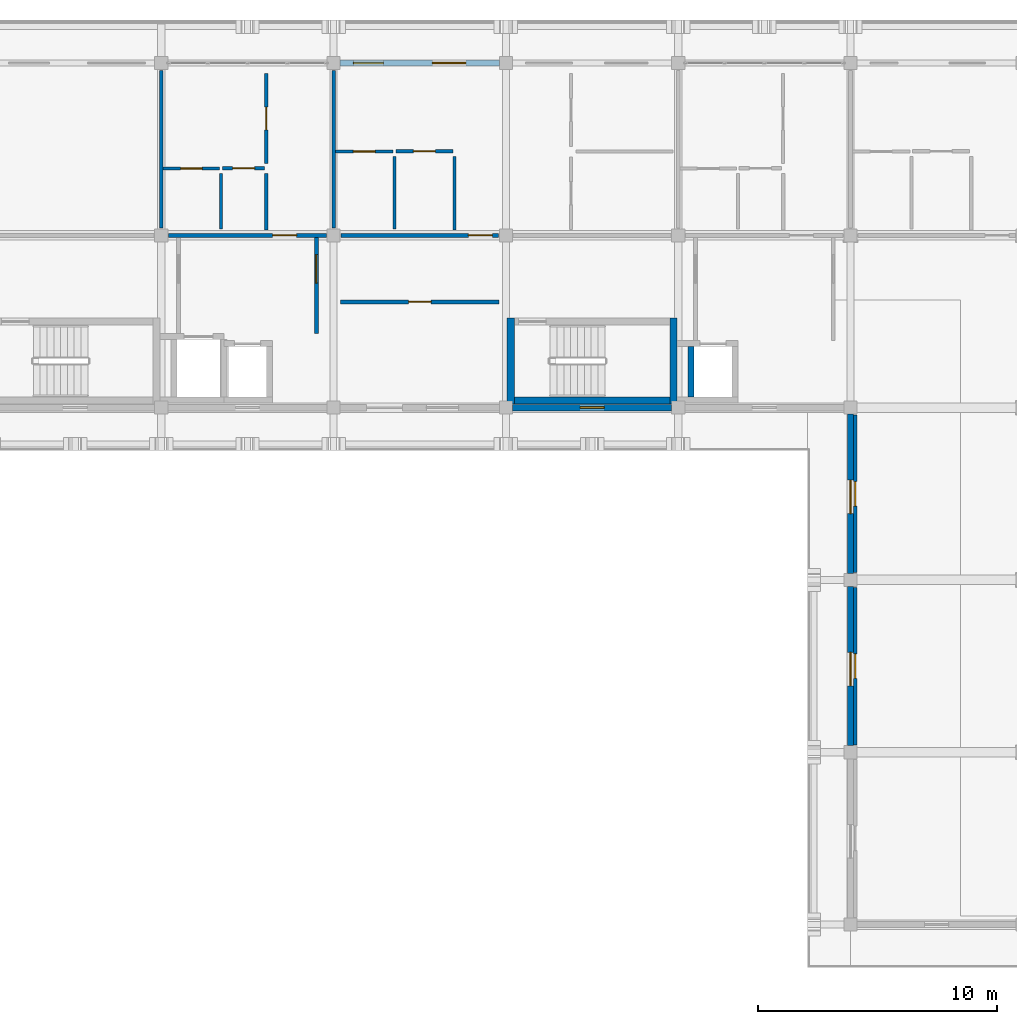
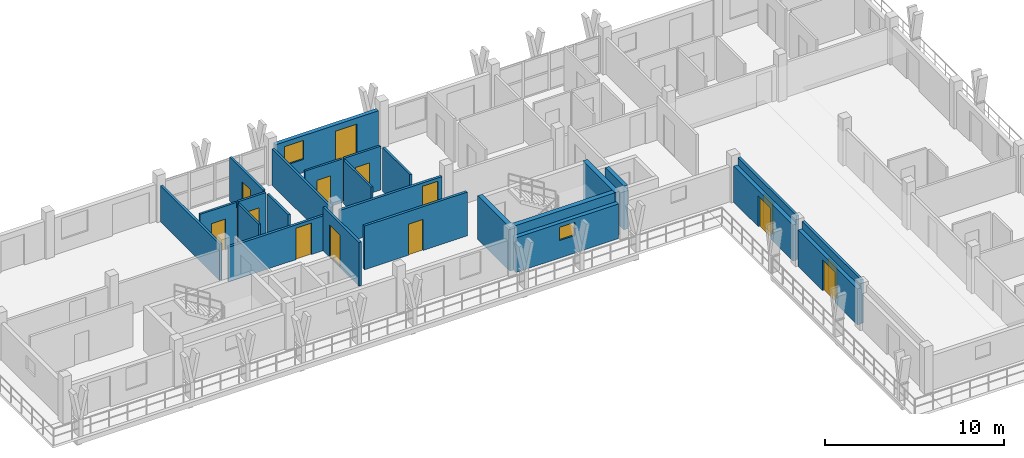
# One storey, part 50 of 67: 25 walls, 14 doors, 2 windows, 16 openings.
"""IFC4 building model written with IfcOpenShell, lengths in metres."""

from ifc_helpers import new_model, si_unit, direction, frame, frame_2d, origin, place, context, subcontext, project, spatial, rectangle, extrude, material, layer, layer_set, type_object, element, fill, save


model = new_model("IFC4")

# Units and contexts
model_context = context("Model", 3, precision=1e-05, world=origin(), true_north=direction((0.0, 1.0)))
body_context = subcontext(model_context, "Body", "Model", "MODEL_VIEW")
ifc_project = project(units=[si_unit("LENGTHUNIT", "METRE"), si_unit("AREAUNIT", "SQUARE_METRE"), si_unit("VOLUMEUNIT", "CUBIC_METRE"), si_unit("PLANEANGLEUNIT", "RADIAN"), si_unit("MASSUNIT", "GRAM", prefix="KILO")], contexts=[model_context])

# Site, building, storey
site_placement = place(None, origin())
site = spatial("IfcSite", under=ifc_project, at=site_placement, CompositionType="ELEMENT")
building_placement = place(site_placement, origin())
building = spatial("IfcBuilding", under=site, at=building_placement, Name="Suanplinth Sawtooth Commons", CompositionType="ELEMENT")
storey_placement = place(building_placement, frame((0.0, 0.0, 25.10009765625)))
storey = spatial("IfcBuildingStorey", under=building, at=storey_placement, Name="L07", CompositionType="ELEMENT", Elevation=25.10009765625)

# Walls
ifc_material_1 = material(Name="Concrete C40/50", Category="concrete")
ifc_layer_1 = layer(ifc_material_1, 0.300048828125, Name="Standard RC stair and lift core wall 300mm")
ifc_layer_set_1 = layer_set([ifc_layer_1], Name="Concrete C40/50")
wall_type_1 = type_object("IfcWallType", Name="W-CR02", PredefinedType="SHEAR", material=ifc_layer_set_1)
wall_1_placement = place(storey_placement, frame((158.75, 108.300048828125, 0.0), z_axis=(0.0, 0.0, 1.0), x_axis=(1.0, 0.0, 0.0)))
element("IfcWall", 1, at=wall_1_placement, inside=storey, type_object=wall_type_1, Name="W-L07-C-B2-STS", PredefinedType="SHEAR", context=body_context, shape_type="SweptSolid", body=[
    extrude(rectangle(XDim=6.5, YDim=0.300048828125, at=frame_2d((3.25, 0.0))), origin(), (0.0, 0.0, 1.0), 2.989990234375),
])
for number, where, z_axis, x_axis, name in (
    (2, (158.60009765625, 108.14990234375, 0.0), (0.0, 0.0, 1.0), (0.0, 1.0, 0.0), "W-L07-C-B2-STW"),
    (3, (165.39990234375, 108.14990234375, 0.0), (0.0, 0.0, 1.0), (0.0, 1.0, 0.0), "W-L07-C-B2-STE"),
):
    element("IfcWall", number, at=place(storey_placement, frame(where, z_axis=z_axis, x_axis=x_axis)), inside=storey, type_object=wall_type_1, Name=name, PredefinedType="SHEAR", context=body_context, shape_type="SweptSolid", body=[
        extrude(rectangle(XDim=3.60009765625, YDim=0.300048828125, at=frame_2d((1.800048828125, 0.0))), origin(), (0.0, 0.0, 1.0), 2.989990234375),
    ])

# Wall, openings, door, window
ifc_material_2 = material(Name="Precast concrete C40/50", Category="concrete")
ifc_layer_2 = layer(ifc_material_2, 0.260009765625, Name="Insulated precast courtyard facade wall 260mm")
ifc_layer_set_2 = layer_set([ifc_layer_2], Name="Precast concrete C40/50")
wall_type_2 = type_object("IfcWallType", Name="W-EX02", PredefinedType="ELEMENTEDWALL", material=ifc_layer_set_2)
wall_2_placement = place(storey_placement, frame((151.47509765625, 122.39990234375, 0.0), z_axis=(0.0, 0.0, 1.0), x_axis=(1.0, 0.0, 0.0)))
wall_2 = element("IfcWall", 4, at=wall_2_placement, inside=storey, type_object=wall_type_2, Name="Facade Wall W-L07-B-N-21-16", PredefinedType="ELEMENTEDWALL", context=body_context, shape_type="SweptSolid", body=[
    extrude(rectangle(XDim=6.64990234375, YDim=0.260009765625, at=frame_2d((3.324951171875, 0.0))), origin(), (0.0, 0.0, 1.0), 2.52490234375),
])
opening_1_placement = place(wall_2_placement, frame((3.85009765625, 0.0, 0.0)))
opening_1 = element("IfcOpeningElement", 5, at=opening_1_placement, cuts=wall_2, Name="Opening ED0578", PredefinedType="OPENING", context=body_context, shape_type="SweptSolid", body=[
    extrude(rectangle(XDim=1.39990234375, YDim=2.10009765625, at=frame_2d((0.699951171875, 1.050048828125))), frame((0.0, 0.14501953125, 0.0), z_axis=(0.0, -1.0, 0.0), x_axis=(1.0, 0.0, 0.0)), (0.0, 0.0, 1.0), 0.289794921875),
])
opening_2_placement = place(wall_2_placement, frame((0.550048828125, 0.0, 0.89990234375)))
opening_2 = element("IfcOpeningElement", 6, at=opening_2_placement, cuts=wall_2, Name="Opening W0660", PredefinedType="OPENING", context=body_context, shape_type="SweptSolid", body=[
    extrude(rectangle(XDim=1.25, YDim=1.300048828125, at=frame_2d((0.625, 0.64990234375))), frame((0.0, 0.14501953125, 0.0), z_axis=(0.0, -1.0, 0.0), x_axis=(1.0, 0.0, 0.0)), (0.0, 0.0, 1.0), 0.289794921875),
])
ifc_material_3 = material(Name="Anodized aluminium and low-E glass", Category="aluminium")
door_type_1 = type_object("IfcDoorType", Name="SD-07", OperationType="SLIDING_TO_RIGHT", PredefinedType="DOOR", material=ifc_material_3)
door_1_placement = place(opening_1_placement, frame((1.39990234375, 0.0, 0.0), z_axis=(0.0, 0.0, 1.0), x_axis=(-1.0, 0.0, 0.0)))
door_1 = element("IfcDoor", 7, at=door_1_placement, inside=storey, type_object=door_type_1, Name="Balcony Sliding Door L07-B-21", OperationType="SLIDING_TO_RIGHT", OverallHeight=2.10009765625, OverallWidth=1.39990234375, PredefinedType="DOOR", context=body_context, shape_type="SweptSolid", body=[
    extrude(rectangle(XDim=1.39990234375, YDim=2.10009765625, at=frame_2d((0.699951171875, 1.050048828125))), frame((0.0, 0.02490234375, 0.0), z_axis=(0.0, -1.0, 0.0), x_axis=(1.0, 0.0, 0.0)), (0.0, 0.0, 1.0), 0.050048828125),
])
fill(opening_1, door_1)
ifc_material_4 = material(Name="Thermally broken aluminium and low-E double glazing", Category="aluminium")
window_type_1 = type_object("IfcWindowType", Name="WN-17", PartitioningType="SINGLE_PANEL", PredefinedType="WINDOW", material=ifc_material_4)
window_1_placement = place(opening_2_placement, origin())
window_1 = element("IfcWindow", 8, at=window_1_placement, inside=storey, type_object=window_type_1, Name="Apartment Window L07-B-21", OverallHeight=1.300048828125, OverallWidth=1.25, PartitioningType="SINGLE_PANEL", PredefinedType="WINDOW", context=body_context, shape_type="SweptSolid", body=[
    extrude(rectangle(XDim=1.25, YDim=1.300048828125, at=frame_2d((0.625, 0.64990234375))), frame((0.0, 0.030029296875, 0.0), z_axis=(0.0, -1.0, 0.0), x_axis=(1.0, 0.0, 0.0)), (0.0, 0.0, 1.0), 0.06005859375),
])
fill(opening_2, window_1)

# Wall, opening, window
wall_3_placement = place(storey_placement, frame((158.675048828125, 108.0, 0.0), z_axis=(0.0, 0.0, 1.0), x_axis=(1.0, 0.0, 0.0)))
wall_3 = element("IfcWall", 9, at=wall_3_placement, inside=storey, type_object=wall_type_2, Name="Facade Wall W-L07-B-S-22-15", PredefinedType="ELEMENTEDWALL", context=body_context, shape_type="SweptSolid", body=[
    extrude(rectangle(XDim=6.64990234375, YDim=0.260009765625, at=frame_2d((3.324951171875, 0.0))), origin(), (0.0, 0.0, 1.0), 2.375),
])
opening_3_placement = place(wall_3_placement, frame((2.824951171875, 0.0, 1.199951171875)))
opening_3 = element("IfcOpeningElement", 10, at=opening_3_placement, cuts=wall_3, Name="Opening W0661", PredefinedType="OPENING", context=body_context, shape_type="SweptSolid", body=[
    extrude(rectangle(XDim=1.0, YDim=0.89990234375, at=frame_2d((0.5, 0.449951171875))), frame((0.0, 0.14501953125, 0.0), z_axis=(0.0, -1.0, 0.0), x_axis=(1.0, 0.0, 0.0)), (0.0, 0.0, 1.0), 0.289794921875),
])
window_type_2 = type_object("IfcWindowType", Name="WN-12", PartitioningType="SINGLE_PANEL", PredefinedType="WINDOW", material=ifc_material_4)
window_2_placement = place(opening_3_placement, origin())
window_2 = element("IfcWindow", 11, at=window_2_placement, inside=storey, type_object=window_type_2, Name="Core Daylight Window L07-B-22-15", OverallHeight=0.89990234375, OverallWidth=1.0, PartitioningType="SINGLE_PANEL", PredefinedType="WINDOW", context=body_context, shape_type="SweptSolid", body=[
    extrude(rectangle(XDim=1.0, YDim=0.89990234375, at=frame_2d((0.5, 0.449951171875))), frame((0.0, 0.030029296875, 0.0), z_axis=(0.0, -1.0, 0.0), x_axis=(1.0, 0.0, 0.0)), (0.0, 0.0, 1.0), 0.06005859375),
])
fill(opening_3, window_2)

# Wall, opening, door
wall_4_placement = place(storey_placement, frame((172.800048828125, 93.875, 0.0), z_axis=(0.0, 0.0, 1.0), x_axis=(0.0, 1.0, 0.0)))
wall_4 = element("IfcWall", 12, at=wall_4_placement, inside=storey, type_object=wall_type_2, Name="Facade Wall W-L07-B-W-24-13", PredefinedType="ELEMENTEDWALL", context=body_context, shape_type="SweptSolid", body=[
    extrude(rectangle(XDim=6.64990234375, YDim=0.260009765625, at=frame_2d((3.324951171875, 0.0))), origin(), (0.0, 0.0, 1.0), 2.474853515625),
])
opening_4_placement = place(wall_4_placement, frame((2.5, 0.0, 0.0)))
opening_4 = element("IfcOpeningElement", 13, at=opening_4_placement, cuts=wall_4, Name="Opening ED0581", PredefinedType="OPENING", context=body_context, shape_type="SweptSolid", body=[
    extrude(rectangle(XDim=1.39990234375, YDim=2.10009765625, at=frame_2d((0.699951171875, 1.050048828125))), frame((0.0, 0.14501953125, 0.0), z_axis=(0.0, -1.0, 0.0), x_axis=(1.0, 0.0, 0.0)), (0.0, 0.0, 1.0), 0.289794921875),
])
door_2_placement = place(opening_4_placement, frame((1.39990234375, 0.0, 0.0), z_axis=(0.0, 0.0, 1.0), x_axis=(-1.0, 0.0, 0.0)))
door_2 = element("IfcDoor", 14, at=door_2_placement, inside=storey, type_object=door_type_1, Name="Courtyard Veranda Studio Balcony Door L07-B-13", OperationType="SLIDING_TO_RIGHT", OverallHeight=2.10009765625, OverallWidth=1.39990234375, PredefinedType="DOOR", context=body_context, shape_type="SweptSolid", body=[
    extrude(rectangle(XDim=1.39990234375, YDim=2.10009765625, at=frame_2d((0.699951171875, 1.050048828125))), frame((0.0, 0.02490234375, 0.0), z_axis=(0.0, -1.0, 0.0), x_axis=(1.0, 0.0, 0.0)), (0.0, 0.0, 1.0), 0.050048828125),
])
fill(opening_4, door_2)

wall_5_placement = place(storey_placement, frame((172.800048828125, 101.074951171875, 0.0), z_axis=(0.0, 0.0, 1.0), x_axis=(0.0, 1.0, 0.0)))
wall_5 = element("IfcWall", 15, at=wall_5_placement, inside=storey, type_object=wall_type_2, Name="Facade Wall W-L07-B-W-24-14", PredefinedType="ELEMENTEDWALL", context=body_context, shape_type="SweptSolid", body=[
    extrude(rectangle(XDim=6.650146484375, YDim=0.260009765625, at=frame_2d((3.3251953125, 0.0))), origin(), (0.0, 0.0, 1.0), 2.474853515625),
])
opening_5_placement = place(wall_5_placement, frame((2.5, 0.0, 0.0)))
opening_5 = element("IfcOpeningElement", 16, at=opening_5_placement, cuts=wall_5, Name="Opening ED0582", PredefinedType="OPENING", context=body_context, shape_type="SweptSolid", body=[
    extrude(rectangle(XDim=1.39990234375, YDim=2.10009765625, at=frame_2d((0.699951171875, 1.050048828125))), frame((0.0, 0.14501953125, 0.0), z_axis=(0.0, -1.0, 0.0), x_axis=(1.0, 0.0, 0.0)), (0.0, 0.0, 1.0), 0.289794921875),
])
door_3_placement = place(opening_5_placement, frame((1.39990234375, 0.0, 0.0), z_axis=(0.0, 0.0, 1.0), x_axis=(-1.0, 0.0, 0.0)))
door_3 = element("IfcDoor", 17, at=door_3_placement, inside=storey, type_object=door_type_1, Name="Courtyard Veranda Studio Balcony Door L07-B-14", OperationType="SLIDING_TO_RIGHT", OverallHeight=2.10009765625, OverallWidth=1.39990234375, PredefinedType="DOOR", context=body_context, shape_type="SweptSolid", body=[
    extrude(rectangle(XDim=1.39990234375, YDim=2.10009765625, at=frame_2d((0.699951171875, 1.050048828125))), frame((0.0, 0.02490234375, 0.0), z_axis=(0.0, -1.0, 0.0), x_axis=(1.0, 0.0, 0.0)), (0.0, 0.0, 1.0), 0.050048828125),
])
fill(opening_5, door_3)

ifc_layer_3 = layer(ifc_material_2, 0.159912109375, Name="Fire-rated corridor and lobby wall 160mm")
ifc_layer_set_3 = layer_set([ifc_layer_3], Name="Precast concrete C40/50")
wall_type_3 = type_object("IfcWallType", Name="W-FW01", PredefinedType="PARTITIONING", material=ifc_layer_set_3)
wall_6_placement = place(storey_placement, frame((150.47998046875, 111.10009765625, 0.0), z_axis=(0.0, 0.0, 1.0), x_axis=(0.0, 1.0, 0.0)))
wall_6 = element("IfcWall", 18, at=wall_6_placement, inside=storey, type_object=wall_type_3, Name="W-L07-C-B1-LOB-E", PredefinedType="PARTITIONING", context=body_context, shape_type="SweptSolid", body=[
    extrude(rectangle(XDim=4.02001953125, YDim=0.159912109375, at=frame_2d((2.010009765625, 0.0))), origin(), (0.0, 0.0, 1.0), 2.989990234375),
])
opening_6_placement = place(wall_6_placement, frame((2.10009765625, 0.0, 0.0)))
opening_6 = element("IfcOpeningElement", 19, at=opening_6_placement, cuts=wall_6, Name="Opening FD0196", PredefinedType="OPENING", context=body_context, shape_type="SweptSolid", body=[
    extrude(rectangle(XDim=1.199951171875, YDim=2.199951171875, at=frame_2d((0.60009765625, 1.10009765625))), frame((0.0, 0.0947265625, 0.0), z_axis=(0.0, -1.0, 0.0), x_axis=(1.0, 0.0, 0.0)), (0.0, 0.0, 1.0), 0.189697265625),
])
ifc_material_5 = material(Name="Teak hardwood fire-rated door assembly", Category="wood")
door_type_2 = type_object("IfcDoorType", Name="FD-02", OperationType="NOTDEFINED", PredefinedType="DOOR", material=ifc_material_5)
door_4_placement = place(opening_6_placement, frame((1.199951171875, 0.0, 0.0), z_axis=(0.0, 0.0, 1.0), x_axis=(-1.0, 0.0, 0.0)))
door_4 = element("IfcDoor", 20, at=door_4_placement, inside=storey, type_object=door_type_2, Name="Lobby Fire Door FD0196", OperationType="SINGLE_SWING_RIGHT", OverallHeight=2.199951171875, OverallWidth=1.199951171875, PredefinedType="DOOR", context=body_context, shape_type="SweptSolid", body=[
    extrude(rectangle(XDim=1.199951171875, YDim=2.199951171875, at=frame_2d((0.60009765625, 1.10009765625))), frame((0.0, 0.02490234375, 0.0), z_axis=(0.0, -1.0, 0.0), x_axis=(1.0, 0.0, 0.0)), (0.0, 0.0, 1.0), 0.050048828125),
])
fill(opening_6, door_4)

wall_7_placement = place(storey_placement, frame((144.304931640625, 115.199951171875, 0.0), z_axis=(0.0, 0.0, 1.0), x_axis=(1.0, 0.0, 0.0)))
wall_7 = element("IfcWall", 21, at=wall_7_placement, inside=storey, type_object=wall_type_3, Name="W-B-L07-U02-COR", PredefinedType="PARTITIONING", context=body_context, shape_type="SweptSolid", body=[
    extrude(rectangle(XDim=6.590087890625, YDim=0.159912109375, at=frame_2d((3.294921875, 0.0))), origin(), (0.0, 0.0, 1.0), 2.375),
])
opening_7_placement = place(wall_7_placement, frame((4.344970703125, 0.0, 0.0)))
opening_7 = element("IfcOpeningElement", 22, at=opening_7_placement, cuts=wall_7, Name="Opening FD1544", PredefinedType="OPENING", context=body_context, shape_type="SweptSolid", body=[
    extrude(rectangle(XDim=1.0, YDim=2.14990234375, at=frame_2d((0.5, 1.074951171875))), frame((0.0, 0.0947265625, 0.0), z_axis=(0.0, -1.0, 0.0), x_axis=(1.0, 0.0, 0.0)), (0.0, 0.0, 1.0), 0.189697265625),
])
door_type_3 = type_object("IfcDoorType", Name="FD-03", OperationType="NOTDEFINED", PredefinedType="DOOR", material=ifc_material_5)
door_5_placement = place(opening_7_placement, origin())
door_5 = element("IfcDoor", 23, at=door_5_placement, inside=storey, type_object=door_type_3, Name="Unit Entrance Door FD1544", OperationType="SINGLE_SWING_RIGHT", OverallHeight=2.14990234375, OverallWidth=1.0, PredefinedType="DOOR", context=body_context, shape_type="SweptSolid", body=[
    extrude(rectangle(XDim=1.0, YDim=2.14990234375, at=frame_2d((0.5, 1.074951171875))), frame((0.0, 0.02490234375, 0.0), z_axis=(0.0, -1.0, 0.0), x_axis=(1.0, 0.0, 0.0)), (0.0, 0.0, 1.0), 0.050048828125),
])
fill(opening_7, door_5)

wall_8_placement = place(storey_placement, frame((151.5048828125, 115.199951171875, 0.0), z_axis=(0.0, 0.0, 1.0), x_axis=(1.0, 0.0, 0.0)))
wall_8 = element("IfcWall", 24, at=wall_8_placement, inside=storey, type_object=wall_type_3, Name="W-B-L07-U03-COR-S1", PredefinedType="PARTITIONING", context=body_context, shape_type="SweptSolid", body=[
    extrude(rectangle(XDim=6.590087890625, YDim=0.159912109375, at=frame_2d((3.294921875, 0.0))), origin(), (0.0, 0.0, 1.0), 2.375),
])
opening_8_placement = place(wall_8_placement, frame((5.324951171875, 0.0, 0.0)))
opening_8 = element("IfcOpeningElement", 25, at=opening_8_placement, cuts=wall_8, Name="Opening FD1548", PredefinedType="OPENING", context=body_context, shape_type="SweptSolid", body=[
    extrude(rectangle(XDim=1.0, YDim=2.14990234375, at=frame_2d((0.5, 1.074951171875))), frame((0.0, 0.0947265625, 0.0), z_axis=(0.0, -1.0, 0.0), x_axis=(1.0, 0.0, 0.0)), (0.0, 0.0, 1.0), 0.189697265625),
])
door_6_placement = place(opening_8_placement, origin())
door_6 = element("IfcDoor", 26, at=door_6_placement, inside=storey, type_object=door_type_3, Name="Unit Entrance Door FD1548", OperationType="SINGLE_SWING_RIGHT", OverallHeight=2.14990234375, OverallWidth=1.0, PredefinedType="DOOR", context=body_context, shape_type="SweptSolid", body=[
    extrude(rectangle(XDim=1.0, YDim=2.14990234375, at=frame_2d((0.5, 1.074951171875))), frame((0.0, 0.02490234375, 0.0), z_axis=(0.0, -1.0, 0.0), x_axis=(1.0, 0.0, 0.0)), (0.0, 0.0, 1.0), 0.050048828125),
])
fill(opening_8, door_6)

wall_9_placement = place(storey_placement, frame((151.47998046875, 112.419921875, 0.0), z_axis=(0.0, 0.0, 1.0), x_axis=(1.0, 0.0, 0.0)))
wall_9 = element("IfcWall", 27, at=wall_9_placement, inside=storey, type_object=wall_type_3, Name="W-B-L07-COURTROOM-26-COR", PredefinedType="PARTITIONING", context=body_context, shape_type="SweptSolid", body=[
    extrude(rectangle(XDim=6.64013671875, YDim=0.159912109375, at=frame_2d((3.320068359375, 0.0))), origin(), (0.0, 0.0, 1.0), 2.989990234375),
])
opening_9_placement = place(wall_9_placement, frame((2.85009765625, 0.0, 0.0)))
opening_9 = element("IfcOpeningElement", 28, at=opening_9_placement, cuts=wall_9, Name="Opening D1563", PredefinedType="OPENING", context=body_context, shape_type="SweptSolid", body=[
    extrude(rectangle(XDim=0.93994140625, YDim=2.1201171875, at=frame_2d((0.469970703125, 1.06005859375))), frame((0.0, 0.0947265625, 0.0), z_axis=(0.0, -1.0, 0.0), x_axis=(1.0, 0.0, 0.0)), (0.0, 0.0, 1.0), 0.189697265625),
])
ifc_material_6 = material(Name="Teak hardwood", Category="wood")
door_type_4 = type_object("IfcDoorType", Name="D-15", OperationType="NOTDEFINED", PredefinedType="DOOR", material=ifc_material_6)
door_7_placement = place(opening_9_placement, frame((0.93994140625, 0.0, 0.0), z_axis=(0.0, 0.0, 1.0), x_axis=(-1.0, 0.0, 0.0)))
door_7 = element("IfcDoor", 29, at=door_7_placement, inside=storey, type_object=door_type_4, Name="Study Studio Door D1563", OperationType="SINGLE_SWING_LEFT", OverallHeight=2.1201171875, OverallWidth=0.93994140625, PredefinedType="DOOR", context=body_context, shape_type="SweptSolid", body=[
    extrude(rectangle(XDim=0.93994140625, YDim=2.1201171875, at=frame_2d((0.469970703125, 1.06005859375))), frame((0.0, 0.02490234375, 0.0), z_axis=(0.0, -1.0, 0.0), x_axis=(1.0, 0.0, 0.0)), (0.0, 0.0, 1.0), 0.050048828125),
])
fill(opening_9, door_7)

wall_10_placement = place(storey_placement, frame((173.0, 93.905029296875, 0.0), z_axis=(0.0, 0.0, 1.0), x_axis=(0.0, 1.0, 0.0)))
wall_10 = element("IfcWall", 30, at=wall_10_placement, inside=storey, type_object=wall_type_3, Name="W-B-L07-LEGCOURTROOM-30-COR", PredefinedType="PARTITIONING", context=body_context, shape_type="SweptSolid", body=[
    extrude(rectangle(XDim=6.590087890625, YDim=0.159912109375, at=frame_2d((3.294921875, 0.0))), origin(), (0.0, 0.0, 1.0), 2.989990234375),
])
opening_10_placement = place(wall_10_placement, frame((2.784912109375, 0.0, 0.0)))
opening_10 = element("IfcOpeningElement", 31, at=opening_10_placement, cuts=wall_10, Name="Opening D1569", PredefinedType="OPENING", context=body_context, shape_type="SweptSolid", body=[
    extrude(rectangle(XDim=1.02001953125, YDim=2.179931640625, at=frame_2d((0.510009765625, 1.08984375))), frame((0.0, 0.0947265625, 0.0), z_axis=(0.0, -1.0, 0.0), x_axis=(1.0, 0.0, 0.0)), (0.0, 0.0, 1.0), 0.189697265625),
])
door_type_5 = type_object("IfcDoorType", Name="D-16", OperationType="NOTDEFINED", PredefinedType="DOOR", material=ifc_material_6)
door_8_placement = place(opening_10_placement, origin())
door_8 = element("IfcDoor", 32, at=door_8_placement, inside=storey, type_object=door_type_5, Name="Veranda Studio Door D1569", OperationType="SINGLE_SWING_LEFT", OverallHeight=2.179931640625, OverallWidth=1.02001953125, PredefinedType="DOOR", context=body_context, shape_type="SweptSolid", body=[
    extrude(rectangle(XDim=1.02001953125, YDim=2.179931640625, at=frame_2d((0.510009765625, 1.08984375))), frame((0.0, 0.02490234375, 0.0), z_axis=(0.0, -1.0, 0.0), x_axis=(1.0, 0.0, 0.0)), (0.0, 0.0, 1.0), 0.050048828125),
])
fill(opening_10, door_8)

wall_11_placement = place(storey_placement, frame((173.0, 101.10498046875, 0.0), z_axis=(0.0, 0.0, 1.0), x_axis=(0.0, 1.0, 0.0)))
wall_11 = element("IfcWall", 33, at=wall_11_placement, inside=storey, type_object=wall_type_3, Name="W-B-L07-LEGCOURTROOM-32-COR", PredefinedType="PARTITIONING", context=body_context, shape_type="SweptSolid", body=[
    extrude(rectangle(XDim=6.590087890625, YDim=0.159912109375, at=frame_2d((3.294921875, 0.0))), origin(), (0.0, 0.0, 1.0), 2.989990234375),
])
opening_11_placement = place(wall_11_placement, frame((2.784912109375, 0.0, 0.0)))
opening_11 = element("IfcOpeningElement", 34, at=opening_11_placement, cuts=wall_11, Name="Opening D1572", PredefinedType="OPENING", context=body_context, shape_type="SweptSolid", body=[
    extrude(rectangle(XDim=1.02001953125, YDim=2.179931640625, at=frame_2d((0.510009765625, 1.08984375))), frame((0.0, 0.0947265625, 0.0), z_axis=(0.0, -1.0, 0.0), x_axis=(1.0, 0.0, 0.0)), (0.0, 0.0, 1.0), 0.189697265625),
])
door_9_placement = place(opening_11_placement, origin())
door_9 = element("IfcDoor", 35, at=door_9_placement, inside=storey, type_object=door_type_5, Name="Veranda Studio Door D1572", OperationType="SINGLE_SWING_RIGHT", OverallHeight=2.179931640625, OverallWidth=1.02001953125, PredefinedType="DOOR", context=body_context, shape_type="SweptSolid", body=[
    extrude(rectangle(XDim=1.02001953125, YDim=2.179931640625, at=frame_2d((0.510009765625, 1.08984375))), frame((0.0, 0.02490234375, 0.0), z_axis=(0.0, -1.0, 0.0), x_axis=(1.0, 0.0, 0.0)), (0.0, 0.0, 1.0), 0.050048828125),
])
fill(opening_11, door_9)

# Walls
ifc_layer_4 = layer(ifc_material_2, 0.14990234375, Name="Acoustic precast party demising wall 150mm")
ifc_layer_set_4 = layer_set([ifc_layer_4], Name="Precast concrete C40/50")
wall_type_4 = type_object("IfcWallType", Name="W-FW02", PredefinedType="PARTITIONING", material=ifc_layer_set_4)
for number, where, z_axis, x_axis, name in (
    (36, (144.0, 115.5048828125, 0.0), (0.0, 0.0, 1.0), (0.0, 1.0, 0.0), "W-B-L07-U01-PTY"),
    (37, (151.199951171875, 115.5048828125, 0.0), (0.0, 0.0, 1.0), (0.0, 1.0, 0.0), "W-B-L07-U02-PTY"),
):
    element("IfcWall", number, at=place(storey_placement, frame(where, z_axis=z_axis, x_axis=x_axis)), inside=storey, type_object=wall_type_4, Name=name, PredefinedType="PARTITIONING", context=body_context, shape_type="SweptSolid", body=[
        extrude(rectangle(XDim=6.590087890625, YDim=0.14990234375, at=frame_2d((3.294921875, 0.0))), origin(), (0.0, 0.0, 1.0), 2.474853515625),
    ])

# Wall, opening, door
ifc_material_7 = material(Name="Gypsum plasterboard on steel stud", Category="steel")
ifc_layer_5 = layer(ifc_material_7, 0.139892578125, Name="Fire-rated kitchen partition 140mm")
ifc_layer_set_5 = layer_set([ifc_layer_5], Name="Gypsum plasterboard on steel stud")
wall_type_5 = type_object("IfcWallType", Name="W-PT01", PredefinedType="PARTITIONING", material=ifc_layer_set_5)
wall_12_placement = place(storey_placement, frame((146.550048828125, 118.0, 0.0), z_axis=(0.0, 0.0, 1.0), x_axis=(1.0, 0.0, 0.0)))
wall_12 = element("IfcWall", 38, at=wall_12_placement, inside=storey, type_object=wall_type_5, Name="W-B-L07-U02-KIT1", PredefinedType="PARTITIONING", context=body_context, shape_type="SweptSolid", body=[
    extrude(rectangle(XDim=1.77001953125, YDim=0.139892578125, at=frame_2d((0.885009765625, 0.0))), origin(), (0.0, 0.0, 1.0), 2.989990234375),
])
opening_12_placement = place(wall_12_placement, frame((0.425048828125, 0.0, 0.0)))
opening_12 = element("IfcOpeningElement", 39, at=opening_12_placement, cuts=wall_12, Name="Opening D1546", PredefinedType="OPENING", context=body_context, shape_type="SweptSolid", body=[
    extrude(rectangle(XDim=0.919921875, YDim=2.10009765625, at=frame_2d((0.4599609375, 1.050048828125))), frame((0.0, 0.0849609375, 0.0), z_axis=(0.0, -1.0, 0.0), x_axis=(1.0, 0.0, 0.0)), (0.0, 0.0, 1.0), 0.169677734375),
])
door_type_6 = type_object("IfcDoorType", Name="D-02", OperationType="NOTDEFINED", PredefinedType="DOOR", material=ifc_material_6)
door_10_placement = place(opening_12_placement, frame((0.919921875, 0.0, 0.0), z_axis=(0.0, 0.0, 1.0), x_axis=(-1.0, 0.0, 0.0)))
door_10 = element("IfcDoor", 40, at=door_10_placement, inside=storey, type_object=door_type_6, Name="Kitchen Door D1546", OperationType="SINGLE_SWING_RIGHT", OverallHeight=2.10009765625, OverallWidth=0.919921875, PredefinedType="DOOR", context=body_context, shape_type="SweptSolid", body=[
    extrude(rectangle(XDim=0.919921875, YDim=2.10009765625, at=frame_2d((0.4599609375, 1.050048828125))), frame((0.0, 0.02490234375, 0.0), z_axis=(0.0, -1.0, 0.0), x_axis=(1.0, 0.0, 0.0)), (0.0, 0.0, 1.0), 0.050048828125),
])
fill(opening_12, door_10)

# Wall
wall_13_placement = place(storey_placement, frame((148.389892578125, 115.429931640625, 0.0), z_axis=(0.0, 0.0, 1.0), x_axis=(0.0, 1.0, 0.0)))
element("IfcWall", 41, at=wall_13_placement, inside=storey, type_object=wall_type_5, Name="W-B-L07-U02-KIT2", PredefinedType="PARTITIONING", context=body_context, shape_type="SweptSolid", body=[
    extrude(rectangle(XDim=2.35009765625, YDim=0.139892578125, at=frame_2d((1.175048828125, 0.0))), origin(), (0.0, 0.0, 1.0), 2.989990234375),
])

# Wall, opening, door
wall_14_placement = place(storey_placement, frame((153.800048828125, 118.7099609375, 0.0), z_axis=(0.0, 0.0, 1.0), x_axis=(1.0, 0.0, 0.0)))
wall_14 = element("IfcWall", 42, at=wall_14_placement, inside=storey, type_object=wall_type_5, Name="W-B-L07-U03-KIT1", PredefinedType="PARTITIONING", context=body_context, shape_type="SweptSolid", body=[
    extrude(rectangle(XDim=2.3798828125, YDim=0.139892578125, at=frame_2d((1.18994140625, 0.0))), origin(), (0.0, 0.0, 1.0), 2.989990234375),
])
opening_13_placement = place(wall_14_placement, frame((0.72998046875, 0.0, 0.0)))
opening_13 = element("IfcOpeningElement", 43, at=opening_13_placement, cuts=wall_14, Name="Opening D1550", PredefinedType="OPENING", context=body_context, shape_type="SweptSolid", body=[
    extrude(rectangle(XDim=0.919921875, YDim=2.10009765625, at=frame_2d((0.4599609375, 1.050048828125))), frame((0.0, 0.0849609375, 0.0), z_axis=(0.0, -1.0, 0.0), x_axis=(1.0, 0.0, 0.0)), (0.0, 0.0, 1.0), 0.169677734375),
])
door_11_placement = place(opening_13_placement, frame((0.919921875, 0.0, 0.0), z_axis=(0.0, 0.0, 1.0), x_axis=(-1.0, 0.0, 0.0)))
door_11 = element("IfcDoor", 44, at=door_11_placement, inside=storey, type_object=door_type_6, Name="Kitchen Door D1550", OperationType="SINGLE_SWING_RIGHT", OverallHeight=2.10009765625, OverallWidth=0.919921875, PredefinedType="DOOR", context=body_context, shape_type="SweptSolid", body=[
    extrude(rectangle(XDim=0.919921875, YDim=2.10009765625, at=frame_2d((0.4599609375, 1.050048828125))), frame((0.0, 0.02490234375, 0.0), z_axis=(0.0, -1.0, 0.0), x_axis=(1.0, 0.0, 0.0)), (0.0, 0.0, 1.0), 0.050048828125),
])
fill(opening_13, door_11)

# Wall
wall_15_placement = place(storey_placement, frame((156.25, 115.429931640625, 0.0), z_axis=(0.0, 0.0, 1.0), x_axis=(0.0, 1.0, 0.0)))
element("IfcWall", 45, at=wall_15_placement, inside=storey, type_object=wall_type_5, Name="W-B-L07-U03-KIT2", PredefinedType="PARTITIONING", context=body_context, shape_type="SweptSolid", body=[
    extrude(rectangle(XDim=3.06005859375, YDim=0.139892578125, at=frame_2d((1.530029296875, 0.0))), origin(), (0.0, 0.0, 1.0), 2.989990234375),
])

# Wall, opening, door
ifc_layer_6 = layer(ifc_material_7, 0.1298828125, Name="Moisture-resistant bathroom partition 130mm")
ifc_layer_set_6 = layer_set([ifc_layer_6], Name="Gypsum plasterboard on steel stud")
wall_type_6 = type_object("IfcWallType", Name="W-PT02", PredefinedType="PARTITIONING", material=ifc_layer_set_6)
wall_16_placement = place(storey_placement, frame((144.080078125, 117.9951171875, 0.0), z_axis=(0.0, 0.0, 1.0), x_axis=(1.0, 0.0, 0.0)))
wall_16 = element("IfcWall", 46, at=wall_16_placement, inside=storey, type_object=wall_type_6, Name="W-B-L07-U02-BTH1", PredefinedType="PARTITIONING", context=body_context, shape_type="SweptSolid", body=[
    extrude(rectangle(XDim=2.349853515625, YDim=0.1298828125, at=frame_2d((1.1748046875, 0.0))), origin(), (0.0, 0.0, 1.0), 2.989990234375),
])
opening_14_placement = place(wall_16_placement, frame((0.72509765625, 0.0, 0.0)))
opening_14 = element("IfcOpeningElement", 47, at=opening_14_placement, cuts=wall_16, Name="Opening D1545", PredefinedType="OPENING", context=body_context, shape_type="SweptSolid", body=[
    extrude(rectangle(XDim=0.89990234375, YDim=2.10009765625, at=frame_2d((0.449951171875, 1.050048828125))), frame((0.0, 0.079833984375, 0.0), z_axis=(0.0, -1.0, 0.0), x_axis=(1.0, 0.0, 0.0)), (0.0, 0.0, 1.0), 0.15966796875),
])
door_type_7 = type_object("IfcDoorType", Name="D-01", OperationType="NOTDEFINED", PredefinedType="DOOR", material=ifc_material_6)
door_12_placement = place(opening_14_placement, frame((0.89990234375, 0.0, 0.0), z_axis=(0.0, 0.0, 1.0), x_axis=(-1.0, 0.0, 0.0)))
door_12 = element("IfcDoor", 48, at=door_12_placement, inside=storey, type_object=door_type_7, Name="Bathroom Door D1545", OperationType="SINGLE_SWING_LEFT", OverallHeight=2.10009765625, OverallWidth=0.89990234375, PredefinedType="DOOR", context=body_context, shape_type="SweptSolid", body=[
    extrude(rectangle(XDim=0.89990234375, YDim=2.10009765625, at=frame_2d((0.449951171875, 1.050048828125))), frame((0.0, 0.02490234375, 0.0), z_axis=(0.0, -1.0, 0.0), x_axis=(1.0, 0.0, 0.0)), (0.0, 0.0, 1.0), 0.050048828125),
])
fill(opening_14, door_12)

# Wall
wall_17_placement = place(storey_placement, frame((146.4951171875, 115.4599609375, 0.0), z_axis=(0.0, 0.0, 1.0), x_axis=(0.0, 1.0, 0.0)))
element("IfcWall", 49, at=wall_17_placement, inside=storey, type_object=wall_type_6, Name="W-B-L07-U02-BTH2", PredefinedType="PARTITIONING", context=body_context, shape_type="SweptSolid", body=[
    extrude(rectangle(XDim=2.330078125, YDim=0.1298828125, at=frame_2d((1.1650390625, 0.0))), origin(), (0.0, 0.0, 1.0), 2.989990234375),
])

# Wall, opening, door
wall_18_placement = place(storey_placement, frame((151.280029296875, 118.705078125, 0.0), z_axis=(0.0, 0.0, 1.0), x_axis=(1.0, 0.0, 0.0)))
wall_18 = element("IfcWall", 50, at=wall_18_placement, inside=storey, type_object=wall_type_6, Name="W-B-L07-U03-BTH1", PredefinedType="PARTITIONING", context=body_context, shape_type="SweptSolid", body=[
    extrude(rectangle(XDim=2.39990234375, YDim=0.1298828125, at=frame_2d((1.199951171875, 0.0))), origin(), (0.0, 0.0, 1.0), 2.989990234375),
])
opening_15_placement = place(wall_18_placement, frame((0.75, 0.0, 0.0)))
opening_15 = element("IfcOpeningElement", 51, at=opening_15_placement, cuts=wall_18, Name="Opening D1549", PredefinedType="OPENING", context=body_context, shape_type="SweptSolid", body=[
    extrude(rectangle(XDim=0.89990234375, YDim=2.10009765625, at=frame_2d((0.449951171875, 1.050048828125))), frame((0.0, 0.079833984375, 0.0), z_axis=(0.0, -1.0, 0.0), x_axis=(1.0, 0.0, 0.0)), (0.0, 0.0, 1.0), 0.15966796875),
])
door_13_placement = place(opening_15_placement, frame((0.89990234375, 0.0, 0.0), z_axis=(0.0, 0.0, 1.0), x_axis=(-1.0, 0.0, 0.0)))
door_13 = element("IfcDoor", 52, at=door_13_placement, inside=storey, type_object=door_type_7, Name="Bathroom Door D1549", OperationType="SINGLE_SWING_LEFT", OverallHeight=2.10009765625, OverallWidth=0.89990234375, PredefinedType="DOOR", context=body_context, shape_type="SweptSolid", body=[
    extrude(rectangle(XDim=0.89990234375, YDim=2.10009765625, at=frame_2d((0.449951171875, 1.050048828125))), frame((0.0, 0.02490234375, 0.0), z_axis=(0.0, -1.0, 0.0), x_axis=(1.0, 0.0, 0.0)), (0.0, 0.0, 1.0), 0.050048828125),
])
fill(opening_15, door_13)

# Wall
wall_19_placement = place(storey_placement, frame((153.7451171875, 115.4599609375, 0.0), z_axis=(0.0, 0.0, 1.0), x_axis=(0.0, 1.0, 0.0)))
element("IfcWall", 53, at=wall_19_placement, inside=storey, type_object=wall_type_6, Name="W-B-L07-U03-BTH2", PredefinedType="PARTITIONING", context=body_context, shape_type="SweptSolid", body=[
    extrude(rectangle(XDim=3.0400390625, YDim=0.1298828125, at=frame_2d((1.52001953125, 0.0))), origin(), (0.0, 0.0, 1.0), 2.989990234375),
])

# Wall, opening, door
ifc_layer_7 = layer(ifc_material_7, 0.135009765625, Name="Insulated bedroom demising partition 135mm")
ifc_layer_set_7 = layer_set([ifc_layer_7], Name="Gypsum plasterboard on steel stud")
wall_type_7 = type_object("IfcWallType", Name="W-PT07", PredefinedType="PARTITIONING", material=ifc_layer_set_7)
wall_20_placement = place(storey_placement, frame((148.3798828125, 118.2099609375, 0.0), z_axis=(0.0, 0.0, 1.0), x_axis=(0.0, 1.0, 0.0)))
wall_20 = element("IfcWall", 54, at=wall_20_placement, inside=storey, type_object=wall_type_7, Name="W-B-L07-U02-BED1", PredefinedType="PARTITIONING", context=body_context, shape_type="SweptSolid", body=[
    extrude(rectangle(XDim=3.75, YDim=0.135009765625, at=frame_2d((1.875, 0.0))), origin(), (0.0, 0.0, 1.0), 2.989990234375),
])
opening_16_placement = place(wall_20_placement, frame((1.39990234375, 0.0, 0.0)))
opening_16 = element("IfcOpeningElement", 55, at=opening_16_placement, cuts=wall_20, Name="Opening D1547", PredefinedType="OPENING", context=body_context, shape_type="SweptSolid", body=[
    extrude(rectangle(XDim=0.949951171875, YDim=2.14990234375, at=frame_2d((0.47509765625, 1.074951171875))), frame((0.0, 0.08251953125, 0.0), z_axis=(0.0, -1.0, 0.0), x_axis=(1.0, 0.0, 0.0)), (0.0, 0.0, 1.0), 0.164794921875),
])
door_type_8 = type_object("IfcDoorType", Name="D-03", OperationType="NOTDEFINED", PredefinedType="DOOR", material=ifc_material_6)
door_14_placement = place(opening_16_placement, origin())
door_14 = element("IfcDoor", 56, at=door_14_placement, inside=storey, type_object=door_type_8, Name="Bedroom Door D1547", OperationType="SINGLE_SWING_LEFT", OverallHeight=2.14990234375, OverallWidth=0.949951171875, PredefinedType="DOOR", context=body_context, shape_type="SweptSolid", body=[
    extrude(rectangle(XDim=0.949951171875, YDim=2.14990234375, at=frame_2d((0.47509765625, 1.074951171875))), frame((0.0, 0.02490234375, 0.0), z_axis=(0.0, -1.0, 0.0), x_axis=(1.0, 0.0, 0.0)), (0.0, 0.0, 1.0), 0.050048828125),
])
fill(opening_16, door_14)

# Wall
ifc_layer_8 = layer(ifc_material_2, 0.25, Name="Precast structural shear wall 250mm")
ifc_layer_set_8 = layer_set([ifc_layer_8], Name="Precast concrete C40/50")
wall_type_8 = type_object("IfcWallType", Name="W-SH01", PredefinedType="SHEAR", material=ifc_layer_set_8)
wall_21_placement = place(storey_placement, frame((166.125, 108.449951171875, 0.0), z_axis=(0.0, 0.0, 1.0), x_axis=(0.0, 1.0, 0.0)))
element("IfcWall", 57, at=wall_21_placement, inside=storey, type_object=wall_type_8, Name="W-L07-LF4-W", PredefinedType="SHEAR", context=body_context, shape_type="SweptSolid", body=[
    extrude(rectangle(XDim=2.10009765625, YDim=0.25, at=frame_2d((1.050048828125, 0.0))), origin(), (0.0, 0.0, 1.0), 2.989990234375),
])

save(model, "model.ifc")
